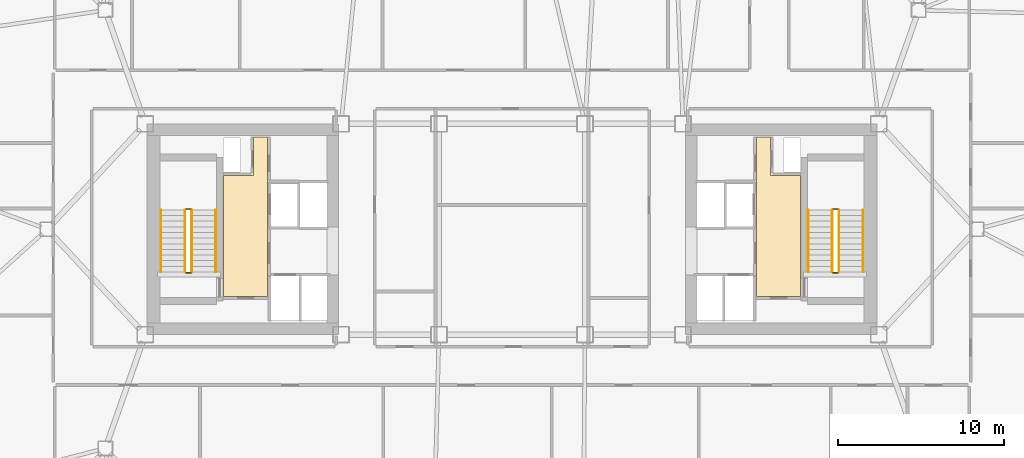
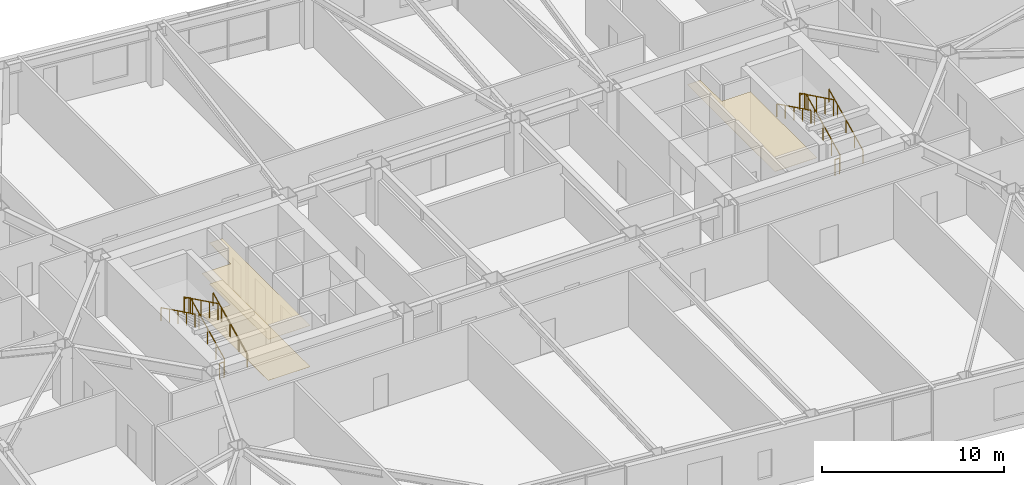
# One storey, part 21 of 21: 12 railings, 3 coverings.
"""IFC4 building model written with IfcOpenShell, lengths in metres."""

import ifcopenshell
import ifcopenshell.guid

model = None  # the IFC model being written
_history = None  # IfcOwnerHistory: only IFC2X3 demands one
_inside = {}  # id of a spatial element -> (the spatial element, [elements in it])
_under = {}  # id of a project, library or spatial element -> (it, [spatial elements below it])
_declared = {}  # id of a project -> (the project, [libraries it declares])
_typed = {}  # id of a type object -> (the type object, [elements of that type])
_made_of = {}  # id of a material, layer set ... -> (it, [elements and type objects made of it])


def new_model(schema):
    """Start an empty IFC model of exactly this schema.

    Asked for "IFC4X3", IfcOpenShell would pick the latest addendum, in which some entities
    have other attributes; the version numbers below select the first issue.
    IFC2X3 requires an IfcOwnerHistory on every rooted entity: one is made here for all.
    """
    global model, _history
    if schema == "IFC4X3":
        model = ifcopenshell.file(schema_version=(4, 3, 0, 0))
    else:
        model = ifcopenshell.file(schema=schema)
    _inside.clear()
    _under.clear()
    _declared.clear()
    _typed.clear()
    _made_of.clear()
    _history = None
    if model.schema == "IFC2X3":
        org = make("IfcOrganization", Name="unknown")
        user = make(
            "IfcPersonAndOrganization",
            ThePerson=make("IfcPerson", FamilyName="unknown"),
            TheOrganization=org,
        )
        app = make(
            "IfcApplication",
            ApplicationDeveloper=org,
            Version="unknown",
            ApplicationFullName="unknown",
            ApplicationIdentifier="unknown",
        )
        _history = make(
            "IfcOwnerHistory",
            OwningUser=user,
            OwningApplication=app,
            ChangeAction="ADDED",
            CreationDate=0,
        )
    return model


def make(cls, **values):
    """One entity of the class cls with the attributes given. An attribute that is None is left unset."""
    return model.create_entity(
        cls, **{name: value for name, value in values.items() if value is not None}
    )


def rooted(cls, **values):
    """An entity with a GlobalId (a new one), such as an element, a storey or a relation."""
    return make(cls, GlobalId=ifcopenshell.guid.new(), OwnerHistory=_history, **values)


def si_unit(unit_type, name, prefix=None):
    """IfcSIUnit, for example si_unit("LENGTHUNIT", "METRE", prefix="MILLI")."""
    return make("IfcSIUnit", UnitType=unit_type, Prefix=prefix, Name=name)


def assignment(units):
    """IfcUnitAssignment: the units of a project."""
    return None if units is None else make("IfcUnitAssignment", Units=units)


def point(xyz):
    """IfcCartesianPoint."""
    return None if xyz is None else make("IfcCartesianPoint", Coordinates=xyz)


def direction(xyz):
    """IfcDirection."""
    return None if xyz is None else make("IfcDirection", DirectionRatios=xyz)


def frame(location, z_axis=None, x_axis=None):
    """IfcAxis2Placement3D, a coordinate frame: its origin and axes. An axis left out is left unset."""
    return make(
        "IfcAxis2Placement3D",
        Location=point(location),
        Axis=direction(z_axis),
        RefDirection=direction(x_axis),
    )


def frame_2d(location, x_axis=None):
    """IfcAxis2Placement2D, a coordinate frame in the plane: its origin and x axis."""
    return make(
        "IfcAxis2Placement2D", Location=point(location), RefDirection=direction(x_axis)
    )


def origin():
    """The frame at (0, 0, 0) with its axes left unset."""
    return frame((0.0, 0.0, 0.0))


def origin_2d():
    """The frame at (0, 0) in the plane with its x axis left unset."""
    return frame_2d((0.0, 0.0))


def place(relative_to, where):
    """IfcLocalPlacement: puts the frame where relative to a parent placement (None: the world)."""
    return make(
        "IfcLocalPlacement", PlacementRelTo=relative_to, RelativePlacement=where
    )


def context(
    kind, dimensions, precision=None, world=None, true_north=None, identifier=None
):
    """IfcGeometricRepresentationContext, for example the 3D "Model" context."""
    return make(
        "IfcGeometricRepresentationContext",
        ContextIdentifier=identifier,
        ContextType=kind,
        CoordinateSpaceDimension=dimensions,
        Precision=precision,
        WorldCoordinateSystem=world,
        TrueNorth=true_north,
    )


def subcontext(parent, identifier, kind, view, scale=None):
    """IfcGeometricRepresentationSubContext, for example "Body" below "Model"."""
    return make(
        "IfcGeometricRepresentationSubContext",
        ContextIdentifier=identifier,
        ContextType=kind,
        ParentContext=parent,
        TargetScale=scale,
        TargetView=view,
    )


def project(units=None, contexts=None):
    """IfcProject with its units and contexts."""
    return rooted(
        "IfcProject",
        Name="project",
        RepresentationContexts=contexts,
        UnitsInContext=assignment(units),
    )


def spatial(cls, under=None, at=None, **own):
    """A site, building, storey or space (cls), placed at a placement, below another one or the project."""
    s = rooted(cls, ObjectPlacement=at, **own)
    if under is not None:
        _under.setdefault(under.id(), (under, []))[1].append(s)
    return s


def polyline(points):
    """IfcPolyline through the points."""
    return make("IfcPolyline", Points=[point(p) for p in points])


def profile(cls, at=None, kind="AREA", **sizes):
    """A parametric profile (cls). Its sizes go by their IFC names, for example OverallWidth=200.0."""
    return make(cls, ProfileType=kind, Position=at, **sizes)


def rectangle(**sizes):
    """IfcRectangleProfileDef."""
    return profile("IfcRectangleProfileDef", **sizes)


def outline(outer, holes=None, kind="AREA"):
    """IfcArbitraryClosedProfileDef: a profile drawn as a closed curve; with holes, ...WithVoids."""
    if holes is None:
        return make("IfcArbitraryClosedProfileDef", ProfileType=kind, OuterCurve=outer)
    return make(
        "IfcArbitraryProfileDefWithVoids",
        ProfileType=kind,
        OuterCurve=outer,
        InnerCurves=holes,
    )


def extrude(swept, where, along, depth):
    """IfcExtrudedAreaSolid: the profile swept, set in the frame where, extruded along a direction by depth."""
    return make(
        "IfcExtrudedAreaSolid",
        SweptArea=swept,
        Position=where,
        ExtrudedDirection=direction(along),
        Depth=depth,
    )


def shape(context_of_items, identifier, shape_type, items):
    """IfcShapeRepresentation: the items that make up one representation, for example the "Body"."""
    return make(
        "IfcShapeRepresentation",
        ContextOfItems=context_of_items,
        RepresentationIdentifier=identifier,
        RepresentationType=shape_type,
        Items=items,
    )


def material(Name=None, Category=None):
    """IfcMaterial."""
    return make("IfcMaterial", Name=Name, Category=Category)


def layer(
    of_material, thickness, ventilated=None, Name=None, Category=None, Priority=None
):
    """IfcMaterialLayer: one layer of a wall or slab, of a material (None: an air gap)."""
    return make(
        "IfcMaterialLayer",
        Material=of_material,
        LayerThickness=thickness,
        IsVentilated=ventilated,
        Name=Name,
        Category=Category,
        Priority=Priority,
    )


def layer_set(layers, Name=None):
    """IfcMaterialLayerSet."""
    return make("IfcMaterialLayerSet", MaterialLayers=layers, LayerSetName=Name)


def made_of(thing, what):
    """Note that an element or type object is made of a material, layer set ...; save() writes the relation."""
    if what is not None:
        _made_of.setdefault(what.id(), (what, []))[1].append(thing)
    return thing


def type_object(cls, material=None, **own):
    """A type object (cls), such as IfcWallType, which elements share."""
    return made_of(rooted(cls, **own), material)


def element(
    cls,
    number,
    at=None,
    inside=None,
    cuts=None,
    type_object=None,
    material=None,
    context=None,
    identifier="Body",
    shape_type=None,
    held_by="IfcProductDefinitionShape",
    body=None,
    shapes=None,
    **own,
):
    """One element of the class cls, such as IfcWall. Its Tag is "e" and its number.

    at: its placement. inside: the storey or other place that contains it. cuts: it is an
    opening in that element (IfcRelVoidsElement). A single representation is given by context,
    identifier, shape_type and body (its items); several are given by shapes. held_by: the class
    of the entity that holds the representations. save() writes the other relations.
    """
    e = rooted(cls, Tag="e%d" % number, ObjectPlacement=at, **own)
    if body is not None:
        shapes = [shape(context, identifier, shape_type, body)]
    if shapes is not None:
        e.Representation = make(held_by, Representations=shapes)
    if inside is not None:
        _inside.setdefault(inside.id(), (inside, []))[1].append(e)
    if cuts is not None:
        rooted(
            "IfcRelVoidsElement", RelatingBuildingElement=cuts, RelatedOpeningElement=e
        )
    if type_object is not None:
        _typed.setdefault(type_object.id(), (type_object, []))[1].append(e)
    return made_of(e, material)


def aggregate(whole, parts):
    """IfcRelAggregates: a whole, such as a stair, and the parts it consists of."""
    return rooted("IfcRelAggregates", RelatingObject=whole, RelatedObjects=parts)


def save(model, path):
    """Write the relations noted so far, then the file.

    IfcRelAggregates (storeys below a building ...), IfcRelContainedInSpatialStructure (elements
    in a storey), IfcRelDefinesByType, IfcRelAssociatesMaterial and IfcRelDeclares: one each for
    every whole, place, type object, material and project.
    """
    for whole, parts in _under.values():
        aggregate(whole, parts)
    for where, things in _inside.values():
        rooted(
            "IfcRelContainedInSpatialStructure",
            RelatedElements=things,
            RelatingStructure=where,
        )
    for kind, things in _typed.values():
        rooted("IfcRelDefinesByType", RelatedObjects=things, RelatingType=kind)
    for what, things in _made_of.values():
        rooted("IfcRelAssociatesMaterial", RelatedObjects=things, RelatingMaterial=what)
    for by, libraries in _declared.values():
        rooted("IfcRelDeclares", RelatingContext=by, RelatedDefinitions=libraries)
    model.write(path)


model = new_model("IFC4")

# Units and contexts
model_context = context("Model", 3, precision=1e-05, world=origin(), true_north=direction((0.0, 1.0)))
body_context = subcontext(model_context, "Body", "Model", "MODEL_VIEW")
ifc_project = project(units=[si_unit("LENGTHUNIT", "METRE"), si_unit("AREAUNIT", "SQUARE_METRE"), si_unit("VOLUMEUNIT", "CUBIC_METRE"), si_unit("PLANEANGLEUNIT", "RADIAN"), si_unit("MASSUNIT", "GRAM", prefix="KILO")], contexts=[model_context])

# Site, building, storey
site_placement = place(None, origin())
site = spatial("IfcSite", under=ifc_project, at=site_placement, CompositionType="ELEMENT")
building_placement = place(site_placement, origin())
building = spatial("IfcBuilding", under=site, at=building_placement, Name="Tavrogorsk Clinical Tower", CompositionType="ELEMENT")
storey_placement = place(building_placement, frame((0.0, 0.0, 121.39990234375)))
storey = spatial("IfcBuildingStorey", under=building, at=storey_placement, Name="L27", CompositionType="ELEMENT", Elevation=121.39990234375)

# Coverings
ifc_material_1 = material(Name="Antibacterial micro-perforated aluminium ceiling", Category="aluminium")
ifc_layer_1 = layer(ifc_material_1, 0.014892578125)
ifc_layer_set_1 = layer_set([ifc_layer_1], Name="Antibacterial micro-perforated aluminium ceiling")
covering_type_1 = type_object("IfcCoveringType", Name="ClinicalCeiling_15", PredefinedType="CEILING", material=ifc_layer_set_1)
covering_1_placement = place(storey_placement, frame((0.0, 0.0, 2.75)))
element("IfcCovering", 1, at=covering_1_placement, inside=storey, type_object=covering_type_1, Name="Core West Firefighting Lift Lobby Acoustic Ceiling", PredefinedType="CEILING", context=body_context, shape_type="SweptSolid", body=[
    extrude(outline(polyline([(-14.719970703125, 5.56005859375), (-14.719970703125, -4.06005859375), (-17.3798828125, -4.06005859375), (-17.3798828125, 3.239990234375), (-15.56005859375, 3.239990234375), (-15.56005859375, 5.56005859375), (-14.719970703125, 5.56005859375)])), origin(), (0.0, 0.0, 1.0), 0.01513671875),
])
covering_2_placement = place(storey_placement, frame((0.0, 0.0, 2.75)))
element("IfcCovering", 2, at=covering_2_placement, inside=storey, type_object=covering_type_1, Name="Core East Firefighting Lift Lobby Acoustic Ceiling", PredefinedType="CEILING", context=body_context, shape_type="SweptSolid", body=[
    extrude(outline(polyline([(17.3798828125, -4.06005859375), (14.719970703125, -4.06005859375), (14.719970703125, 5.56005859375), (15.56005859375, 5.56005859375), (15.56005859375, 3.239990234375), (17.3798828125, 3.239990234375), (17.3798828125, -4.06005859375)])), origin(), (0.0, 0.0, 1.0), 0.01513671875),
])
ifc_material_2 = material(Name="Homogeneous medical conductive PVC flooring")
ifc_layer_2 = layer(ifc_material_2, 0.008056640625)
ifc_layer_set_2 = layer_set([ifc_layer_2], Name="Homogeneous medical conductive PVC flooring")
covering_type_2 = type_object("IfcCoveringType", Name="ResilientVinylFloor_8", PredefinedType="FLOORING", material=ifc_layer_set_2)
covering_3_placement = place(storey_placement, origin())
element("IfcCovering", 3, at=covering_3_placement, inside=storey, type_object=covering_type_2, Name="Core West Firefighting Lift Lobby Conductive Vinyl Flooring", PredefinedType="FLOORING", context=body_context, shape_type="SweptSolid", body=[
    extrude(outline(polyline([(-14.719970703125, 5.56005859375), (-14.719970703125, -4.06005859375), (-17.3798828125, -4.06005859375), (-17.3798828125, 3.239990234375), (-15.56005859375, 3.239990234375), (-15.56005859375, 5.56005859375), (-14.719970703125, 5.56005859375)])), origin(), (0.0, 0.0, 1.0), 0.008056640625),
])

# Railings
ifc_material_3 = material(Name="Galvanised steel S355 safety stairwell guard", Category="steel")
ifc_layer_3 = layer(ifc_material_3, 0.06005859375)
ifc_layer_set_3 = layer_set([ifc_layer_3], Name="Galvanised steel S355 safety stairwell guard")
railing_type_1 = type_object("IfcRailingType", Name="StairGuard_1150", PredefinedType="GUARDRAIL", material=ifc_layer_set_3)
railing_1_placement = place(storey_placement, frame((-19.300048828125, -2.574951171875, 0.166748046875)))
element("IfcRailing", 4, at=railing_1_placement, inside=storey, type_object=railing_type_1, Name="L27 ST-W stair guard 1", PredefinedType="GUARDRAIL", context=body_context, shape_type="SweptSolid", body=[
    extrude(rectangle(XDim=0.048095703125, YDim=0.048095703125, at=origin_2d()), frame((0.0, 0.0, 1.076171875), z_axis=(0.0, 0.897927990467, 0.440142390523), x_axis=(-1.0, 0.0, 0.0)), (0.0, 0.0, 1.0), 4.1650390625),
    extrude(rectangle(XDim=0.0419921875, YDim=0.0419921875, at=origin_2d()), origin(), (0.0, 0.0, 1.0), 1.052001953125),
    extrude(rectangle(XDim=0.0419921875, YDim=0.0419921875, at=origin_2d()), frame((0.0, 0.93505859375, 0.458251953125)), (0.0, 0.0, 1.0), 1.052001953125),
    extrude(rectangle(XDim=0.0419921875, YDim=0.0419921875, at=origin_2d()), frame((0.0, 1.8701171875, 0.91650390625)), (0.0, 0.0, 1.0), 1.052001953125),
    extrude(rectangle(XDim=0.0419921875, YDim=0.0419921875, at=origin_2d()), frame((0.0, 2.804931640625, 1.375)), (0.0, 0.0, 1.0), 1.052001953125),
    extrude(rectangle(XDim=0.0419921875, YDim=0.0419921875, at=origin_2d()), frame((0.0, 3.739990234375, 1.833251953125)), (0.0, 0.0, 1.0), 1.052001953125),
])
railing_2_placement = place(storey_placement, frame((-19.35009765625, 1.215087890625, 2.0)))
element("IfcRailing", 5, at=railing_2_placement, inside=storey, type_object=railing_type_1, Name="L27 ST-W stair guard 2", PredefinedType="GUARDRAIL", context=body_context, shape_type="SweptSolid", body=[
    extrude(rectangle(XDim=0.048095703125, YDim=0.048095703125, at=origin_2d()), frame((0.0, 0.0, 1.076171875), z_axis=(-1.0, 0.0, 0.0), x_axis=(0.0, -1.0, 0.0)), (0.0, 0.0, 1.0), 0.2998046875),
    extrude(rectangle(XDim=0.0419921875, YDim=0.0419921875, at=origin_2d()), origin(), (0.0, 0.0, 1.0), 1.052001953125),
    extrude(rectangle(XDim=0.0419921875, YDim=0.0419921875, at=origin_2d()), frame((-0.2998046875, 0.0, 0.0)), (0.0, 0.0, 1.0), 1.052001953125),
])
railing_3_placement = place(storey_placement, frame((-19.699951171875, 1.1650390625, 2.166748046875)))
element("IfcRailing", 6, at=railing_3_placement, inside=storey, type_object=railing_type_1, Name="L27 ST-W stair guard 3", PredefinedType="GUARDRAIL", context=body_context, shape_type="SweptSolid", body=[
    extrude(rectangle(XDim=0.048095703125, YDim=0.048095703125, at=origin_2d()), frame((0.0, 0.0, 1.076171875), z_axis=(0.0, -0.897927990467, 0.440142390523), x_axis=(1.0, 0.0, 0.0)), (0.0, 0.0, 1.0), 4.1650390625),
    extrude(rectangle(XDim=0.0419921875, YDim=0.0419921875, at=origin_2d()), origin(), (0.0, 0.0, 1.0), 1.052001953125),
    extrude(rectangle(XDim=0.0419921875, YDim=0.0419921875, at=origin_2d()), frame((0.0, -0.93505859375, 0.458251953125)), (0.0, 0.0, 1.0), 1.052001953125),
    extrude(rectangle(XDim=0.0419921875, YDim=0.0419921875, at=origin_2d()), frame((0.0, -1.8701171875, 0.91650390625)), (0.0, 0.0, 1.0), 1.052001953125),
    extrude(rectangle(XDim=0.0419921875, YDim=0.0419921875, at=origin_2d()), frame((0.0, -2.804931640625, 1.375)), (0.0, 0.0, 1.0), 1.052001953125),
    extrude(rectangle(XDim=0.0419921875, YDim=0.0419921875, at=origin_2d()), frame((0.0, -3.739990234375, 1.833251953125)), (0.0, 0.0, 1.0), 1.052001953125),
])
railing_4_placement = place(storey_placement, frame((-19.35009765625, -2.625, 0.0)))
element("IfcRailing", 7, at=railing_4_placement, inside=storey, type_object=railing_type_1, Name="L27 ST-W stair guard 4", PredefinedType="GUARDRAIL", context=body_context, shape_type="SweptSolid", body=[
    extrude(rectangle(XDim=0.048095703125, YDim=0.048095703125, at=origin_2d()), frame((0.0, 0.0, 1.076171875), z_axis=(-1.0, 0.0, 0.0), x_axis=(0.0, -1.0, 0.0)), (0.0, 0.0, 1.0), 0.2998046875),
    extrude(rectangle(XDim=0.0419921875, YDim=0.0419921875, at=origin_2d()), origin(), (0.0, 0.0, 1.0), 1.052001953125),
    extrude(rectangle(XDim=0.0419921875, YDim=0.0419921875, at=origin_2d()), frame((-0.2998046875, 0.0, 0.0)), (0.0, 0.0, 1.0), 1.052001953125),
])
railing_5_placement = place(storey_placement, frame((19.699951171875, -2.574951171875, 0.166748046875)))
element("IfcRailing", 8, at=railing_5_placement, inside=storey, type_object=railing_type_1, Name="L27 ST-E stair guard 1", PredefinedType="GUARDRAIL", context=body_context, shape_type="SweptSolid", body=[
    extrude(rectangle(XDim=0.048095703125, YDim=0.048095703125, at=origin_2d()), frame((0.0, 0.0, 1.076171875), z_axis=(0.0, 0.897927990467, 0.440142390523), x_axis=(-1.0, 0.0, 0.0)), (0.0, 0.0, 1.0), 4.1650390625),
    extrude(rectangle(XDim=0.0419921875, YDim=0.0419921875, at=origin_2d()), origin(), (0.0, 0.0, 1.0), 1.052001953125),
    extrude(rectangle(XDim=0.0419921875, YDim=0.0419921875, at=origin_2d()), frame((0.0, 0.93505859375, 0.458251953125)), (0.0, 0.0, 1.0), 1.052001953125),
    extrude(rectangle(XDim=0.0419921875, YDim=0.0419921875, at=origin_2d()), frame((0.0, 1.8701171875, 0.91650390625)), (0.0, 0.0, 1.0), 1.052001953125),
    extrude(rectangle(XDim=0.0419921875, YDim=0.0419921875, at=origin_2d()), frame((0.0, 2.804931640625, 1.375)), (0.0, 0.0, 1.0), 1.052001953125),
    extrude(rectangle(XDim=0.0419921875, YDim=0.0419921875, at=origin_2d()), frame((0.0, 3.739990234375, 1.833251953125)), (0.0, 0.0, 1.0), 1.052001953125),
])
railing_6_placement = place(storey_placement, frame((19.64990234375, 1.215087890625, 2.0)))
element("IfcRailing", 9, at=railing_6_placement, inside=storey, type_object=railing_type_1, Name="L27 ST-E stair guard 2", PredefinedType="GUARDRAIL", context=body_context, shape_type="SweptSolid", body=[
    extrude(rectangle(XDim=0.048095703125, YDim=0.048095703125, at=origin_2d()), frame((0.0, 0.0, 1.076171875), z_axis=(-1.0, 0.0, 0.0), x_axis=(0.0, -1.0, 0.0)), (0.0, 0.0, 1.0), 0.2998046875),
    extrude(rectangle(XDim=0.0419921875, YDim=0.0419921875, at=origin_2d()), origin(), (0.0, 0.0, 1.0), 1.052001953125),
    extrude(rectangle(XDim=0.0419921875, YDim=0.0419921875, at=origin_2d()), frame((-0.2998046875, 0.0, 0.0)), (0.0, 0.0, 1.0), 1.052001953125),
])
railing_7_placement = place(storey_placement, frame((19.300048828125, 1.1650390625, 2.166748046875)))
element("IfcRailing", 10, at=railing_7_placement, inside=storey, type_object=railing_type_1, Name="L27 ST-E stair guard 3", PredefinedType="GUARDRAIL", context=body_context, shape_type="SweptSolid", body=[
    extrude(rectangle(XDim=0.048095703125, YDim=0.048095703125, at=origin_2d()), frame((0.0, 0.0, 1.076171875), z_axis=(0.0, -0.897927990467, 0.440142390523), x_axis=(1.0, 0.0, 0.0)), (0.0, 0.0, 1.0), 4.1650390625),
    extrude(rectangle(XDim=0.0419921875, YDim=0.0419921875, at=origin_2d()), origin(), (0.0, 0.0, 1.0), 1.052001953125),
    extrude(rectangle(XDim=0.0419921875, YDim=0.0419921875, at=origin_2d()), frame((0.0, -0.93505859375, 0.458251953125)), (0.0, 0.0, 1.0), 1.052001953125),
    extrude(rectangle(XDim=0.0419921875, YDim=0.0419921875, at=origin_2d()), frame((0.0, -1.8701171875, 0.91650390625)), (0.0, 0.0, 1.0), 1.052001953125),
    extrude(rectangle(XDim=0.0419921875, YDim=0.0419921875, at=origin_2d()), frame((0.0, -2.804931640625, 1.375)), (0.0, 0.0, 1.0), 1.052001953125),
    extrude(rectangle(XDim=0.0419921875, YDim=0.0419921875, at=origin_2d()), frame((0.0, -3.739990234375, 1.833251953125)), (0.0, 0.0, 1.0), 1.052001953125),
])
railing_8_placement = place(storey_placement, frame((19.64990234375, -2.625, 0.0)))
element("IfcRailing", 11, at=railing_8_placement, inside=storey, type_object=railing_type_1, Name="L27 ST-E stair guard 4", PredefinedType="GUARDRAIL", context=body_context, shape_type="SweptSolid", body=[
    extrude(rectangle(XDim=0.048095703125, YDim=0.048095703125, at=origin_2d()), frame((0.0, 0.0, 1.076171875), z_axis=(-1.0, 0.0, 0.0), x_axis=(0.0, -1.0, 0.0)), (0.0, 0.0, 1.0), 0.2998046875),
    extrude(rectangle(XDim=0.0419921875, YDim=0.0419921875, at=origin_2d()), origin(), (0.0, 0.0, 1.0), 1.052001953125),
    extrude(rectangle(XDim=0.0419921875, YDim=0.0419921875, at=origin_2d()), frame((-0.2998046875, 0.0, 0.0)), (0.0, 0.0, 1.0), 1.052001953125),
])
ifc_material_4 = material(Name="Stainless steel AISI 304 tubular handrail", Category="steel")
ifc_layer_4 = layer(ifc_material_4, 0.050048828125)
ifc_layer_set_4 = layer_set([ifc_layer_4], Name="Stainless steel AISI 304 tubular handrail")
railing_type_2 = type_object("IfcRailingType", Name="StairHandrail_920", PredefinedType="HANDRAIL", material=ifc_layer_set_4)
railing_9_placement = place(storey_placement, frame((-17.85009765625, -2.574951171875, 0.166748046875)))
element("IfcRailing", 12, at=railing_9_placement, inside=storey, type_object=railing_type_2, Name="L27 ST-W stair handrail 1", PredefinedType="HANDRAIL", context=body_context, shape_type="SweptSolid", body=[
    extrude(rectangle(XDim=0.048095703125, YDim=0.048095703125, at=origin_2d()), frame((0.0, 0.0, 0.8759765625), z_axis=(0.0, 0.897927990467, 0.440142390523), x_axis=(-1.0, 0.0, 0.0)), (0.0, 0.0, 1.0), 4.1650390625),
    extrude(rectangle(XDim=0.0419921875, YDim=0.0419921875, at=origin_2d()), origin(), (0.0, 0.0, 1.0), 0.851806640625),
    extrude(rectangle(XDim=0.0419921875, YDim=0.0419921875, at=origin_2d()), frame((0.0, 0.93505859375, 0.458251953125)), (0.0, 0.0, 1.0), 0.851806640625),
    extrude(rectangle(XDim=0.0419921875, YDim=0.0419921875, at=origin_2d()), frame((0.0, 1.8701171875, 0.91650390625)), (0.0, 0.0, 1.0), 0.851806640625),
    extrude(rectangle(XDim=0.0419921875, YDim=0.0419921875, at=origin_2d()), frame((0.0, 2.804931640625, 1.375)), (0.0, 0.0, 1.0), 0.851806640625),
    extrude(rectangle(XDim=0.0419921875, YDim=0.0419921875, at=origin_2d()), frame((0.0, 3.739990234375, 1.833251953125)), (0.0, 0.0, 1.0), 0.851806640625),
])
railing_10_placement = place(storey_placement, frame((-21.14990234375, 1.1650390625, 2.166748046875)))
element("IfcRailing", 13, at=railing_10_placement, inside=storey, type_object=railing_type_2, Name="L27 ST-W stair handrail 2", PredefinedType="HANDRAIL", context=body_context, shape_type="SweptSolid", body=[
    extrude(rectangle(XDim=0.048095703125, YDim=0.048095703125, at=origin_2d()), frame((0.0, 0.0, 0.8759765625), z_axis=(0.0, -0.897927990467, 0.440142390523), x_axis=(1.0, 0.0, 0.0)), (0.0, 0.0, 1.0), 4.1650390625),
    extrude(rectangle(XDim=0.0419921875, YDim=0.0419921875, at=origin_2d()), origin(), (0.0, 0.0, 1.0), 0.851806640625),
    extrude(rectangle(XDim=0.0419921875, YDim=0.0419921875, at=origin_2d()), frame((0.0, -0.93505859375, 0.458251953125)), (0.0, 0.0, 1.0), 0.851806640625),
    extrude(rectangle(XDim=0.0419921875, YDim=0.0419921875, at=origin_2d()), frame((0.0, -1.8701171875, 0.91650390625)), (0.0, 0.0, 1.0), 0.851806640625),
    extrude(rectangle(XDim=0.0419921875, YDim=0.0419921875, at=origin_2d()), frame((0.0, -2.804931640625, 1.375)), (0.0, 0.0, 1.0), 0.851806640625),
    extrude(rectangle(XDim=0.0419921875, YDim=0.0419921875, at=origin_2d()), frame((0.0, -3.739990234375, 1.833251953125)), (0.0, 0.0, 1.0), 0.851806640625),
])
railing_11_placement = place(storey_placement, frame((21.14990234375, -2.574951171875, 0.166748046875)))
element("IfcRailing", 14, at=railing_11_placement, inside=storey, type_object=railing_type_2, Name="L27 ST-E stair handrail 1", PredefinedType="HANDRAIL", context=body_context, shape_type="SweptSolid", body=[
    extrude(rectangle(XDim=0.048095703125, YDim=0.048095703125, at=origin_2d()), frame((0.0, 0.0, 0.8759765625), z_axis=(0.0, 0.897927990467, 0.440142390523), x_axis=(-1.0, 0.0, 0.0)), (0.0, 0.0, 1.0), 4.1650390625),
    extrude(rectangle(XDim=0.0419921875, YDim=0.0419921875, at=origin_2d()), origin(), (0.0, 0.0, 1.0), 0.851806640625),
    extrude(rectangle(XDim=0.0419921875, YDim=0.0419921875, at=origin_2d()), frame((0.0, 0.93505859375, 0.458251953125)), (0.0, 0.0, 1.0), 0.851806640625),
    extrude(rectangle(XDim=0.0419921875, YDim=0.0419921875, at=origin_2d()), frame((0.0, 1.8701171875, 0.91650390625)), (0.0, 0.0, 1.0), 0.851806640625),
    extrude(rectangle(XDim=0.0419921875, YDim=0.0419921875, at=origin_2d()), frame((0.0, 2.804931640625, 1.375)), (0.0, 0.0, 1.0), 0.851806640625),
    extrude(rectangle(XDim=0.0419921875, YDim=0.0419921875, at=origin_2d()), frame((0.0, 3.739990234375, 1.833251953125)), (0.0, 0.0, 1.0), 0.851806640625),
])
railing_12_placement = place(storey_placement, frame((17.85009765625, 1.1650390625, 2.166748046875)))
element("IfcRailing", 15, at=railing_12_placement, inside=storey, type_object=railing_type_2, Name="L27 ST-E stair handrail 2", PredefinedType="HANDRAIL", context=body_context, shape_type="SweptSolid", body=[
    extrude(rectangle(XDim=0.048095703125, YDim=0.048095703125, at=origin_2d()), frame((0.0, 0.0, 0.8759765625), z_axis=(0.0, -0.897927990467, 0.440142390523), x_axis=(1.0, 0.0, 0.0)), (0.0, 0.0, 1.0), 4.1650390625),
    extrude(rectangle(XDim=0.0419921875, YDim=0.0419921875, at=origin_2d()), origin(), (0.0, 0.0, 1.0), 0.851806640625),
    extrude(rectangle(XDim=0.0419921875, YDim=0.0419921875, at=origin_2d()), frame((0.0, -0.93505859375, 0.458251953125)), (0.0, 0.0, 1.0), 0.851806640625),
    extrude(rectangle(XDim=0.0419921875, YDim=0.0419921875, at=origin_2d()), frame((0.0, -1.8701171875, 0.91650390625)), (0.0, 0.0, 1.0), 0.851806640625),
    extrude(rectangle(XDim=0.0419921875, YDim=0.0419921875, at=origin_2d()), frame((0.0, -2.804931640625, 1.375)), (0.0, 0.0, 1.0), 0.851806640625),
    extrude(rectangle(XDim=0.0419921875, YDim=0.0419921875, at=origin_2d()), frame((0.0, -3.739990234375, 1.833251953125)), (0.0, 0.0, 1.0), 0.851806640625),
])

save(model, "model.ifc")
